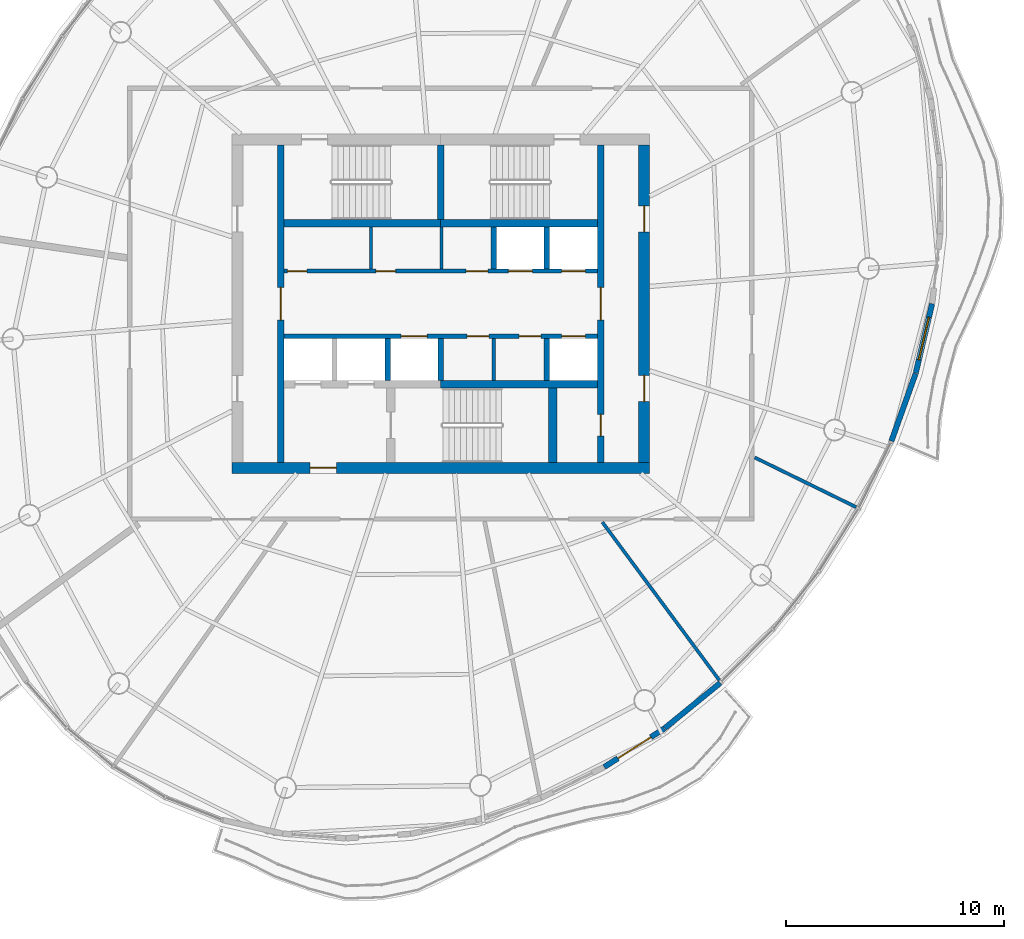
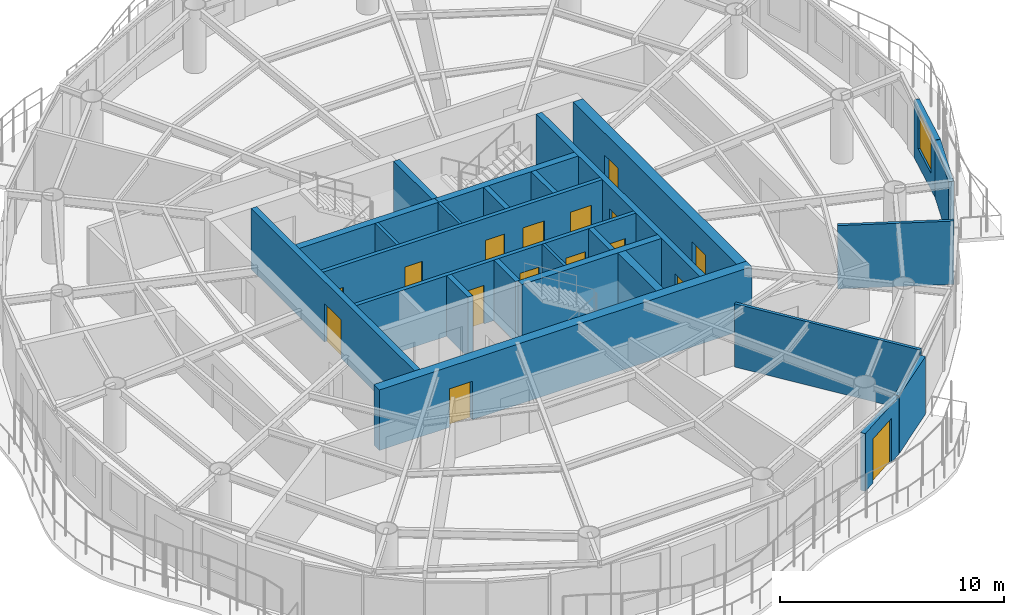
# One storey, part 9 of 14: 25 walls, 16 doors, 1 window, 17 openings.
"""IFC4 building model written with IfcOpenShell, lengths in metres."""

from ifc_helpers import new_model, si_unit, direction, frame, frame_2d, origin, place, context, subcontext, project, spatial, rectangle, extrude, material, layer, layer_set, type_object, element, fill, save


model = new_model("IFC4")

# Units and contexts
model_context = context("Model", 3, precision=1e-05, world=origin(), true_north=direction((0.0, 1.0)))
body_context = subcontext(model_context, "Body", "Model", "MODEL_VIEW")
ifc_project = project(units=[si_unit("LENGTHUNIT", "METRE"), si_unit("AREAUNIT", "SQUARE_METRE"), si_unit("VOLUMEUNIT", "CUBIC_METRE"), si_unit("PLANEANGLEUNIT", "RADIAN"), si_unit("MASSUNIT", "GRAM", prefix="KILO")], contexts=[model_context])

# Site, building, storey
site_placement = place(None, origin())
site = spatial("IfcSite", under=ifc_project, at=site_placement, CompositionType="ELEMENT")
building_placement = place(site_placement, origin())
building = spatial("IfcBuilding", under=site, at=building_placement, Name="Vermilion Reach Broadcast Tower", CompositionType="ELEMENT")
storey_placement = place(building_placement, frame((0.0, 0.0, 254.10009765625)))
storey = spatial("IfcBuildingStorey", under=building, at=storey_placement, Name="L62", CompositionType="ELEMENT", Elevation=254.10009765625)

# Wall, opening, door
ifc_material_1 = material(Name="Concrete C50", Category="concrete")
ifc_layer_1 = layer(ifc_material_1, 0.300048828125)
ifc_layer_set_1 = layer_set([ifc_layer_1], Name="Core inner wall 300 mm Concrete C50")
wall_type_1 = type_object("IfcWallType", Name="Core inner wall 300 mm Concrete C50", PredefinedType="SHEAR", material=ifc_layer_set_1)
wall_1_placement = place(storey_placement, frame((-13.35009765625, 7.300048828125, 0.0), z_axis=(0.0, 0.0, 1.0), x_axis=(0.0, -1.0, 0.0)))
wall_1 = element("IfcWall", 1, at=wall_1_placement, inside=storey, type_object=wall_type_1, Name="L62 core wall ewW", PredefinedType="SHEAR", context=body_context, shape_type="SweptSolid", body=[
    extrude(rectangle(XDim=14.60009765625, YDim=0.300048828125, at=frame_2d((7.300048828125, 0.0))), origin(), (0.0, 0.0, 1.0), 3.2998046875),
])
opening_1_placement = place(wall_1_placement, frame((6.550048828125, 0.0, 0.0)))
opening_1 = element("IfcOpeningElement", 2, at=opening_1_placement, cuts=wall_1, Name="Opening D04", PredefinedType="OPENING", context=body_context, shape_type="SweptSolid", body=[
    extrude(rectangle(XDim=1.5, YDim=2.10009765625, at=frame_2d((0.75, 1.050048828125))), frame((0.0, 0.159912109375, 0.0), z_axis=(0.0, -1.0, 0.0), x_axis=(1.0, 0.0, 0.0)), (0.0, 0.0, 1.0), 0.320068359375),
])
ifc_material_2 = material(Name="Painted steel fire door", Category="steel")
door_type_1 = type_object("IfcDoorType", Name="Lift lobby door 1500 x 2100", OperationType="DOUBLE_DOOR_SINGLE_SWING", PredefinedType="NOTDEFINED", material=ifc_material_2)
door_1_placement = place(opening_1_placement, origin())
door_1 = element("IfcDoor", 3, at=door_1_placement, inside=storey, type_object=door_type_1, Name="L62 band door BW", OperationType="DOUBLE_DOOR_SINGLE_SWING", OverallHeight=2.10009765625, OverallWidth=1.5, PredefinedType="NOTDEFINED", context=body_context, shape_type="SweptSolid", body=[
    extrude(rectangle(XDim=1.5, YDim=2.10009765625, at=frame_2d((0.75, 1.050048828125))), frame((0.0, 0.02490234375, 0.0), z_axis=(0.0, -1.0, 0.0), x_axis=(1.0, 0.0, 0.0)), (0.0, 0.0, 1.0), 0.050048828125),
])
fill(opening_1, door_1)

# Wall, openings, doors
wall_2_placement = place(storey_placement, frame((1.35009765625, -7.300048828125, 0.0), z_axis=(0.0, 0.0, 1.0), x_axis=(0.0, 1.0, 0.0)))
wall_2 = element("IfcWall", 4, at=wall_2_placement, inside=storey, type_object=wall_type_1, Name="L62 core wall ewE", PredefinedType="SHEAR", context=body_context, shape_type="SweptSolid", body=[
    extrude(rectangle(XDim=14.60009765625, YDim=0.300048828125, at=frame_2d((7.300048828125, 0.0))), origin(), (0.0, 0.0, 1.0), 3.2998046875),
])
opening_2_placement = place(wall_2_placement, frame((1.2099609375, 0.0, 0.0)))
opening_2 = element("IfcOpeningElement", 5, at=opening_2_placement, cuts=wall_2, Name="Opening D05", PredefinedType="OPENING", context=body_context, shape_type="SweptSolid", body=[
    extrude(rectangle(XDim=1.0, YDim=2.10009765625, at=frame_2d((0.5, 1.050048828125))), frame((0.0, 0.159912109375, 0.0), z_axis=(0.0, -1.0, 0.0), x_axis=(1.0, 0.0, 0.0)), (0.0, 0.0, 1.0), 0.320068359375),
])
opening_3_placement = place(wall_2_placement, frame((6.550048828125, 0.0, 0.0)))
opening_3 = element("IfcOpeningElement", 6, at=opening_3_placement, cuts=wall_2, Name="Opening D04", PredefinedType="OPENING", context=body_context, shape_type="SweptSolid", body=[
    extrude(rectangle(XDim=1.5, YDim=2.10009765625, at=frame_2d((0.75, 1.050048828125))), frame((0.0, 0.159912109375, 0.0), z_axis=(0.0, -1.0, 0.0), x_axis=(1.0, 0.0, 0.0)), (0.0, 0.0, 1.0), 0.320068359375),
])
door_2_placement = place(opening_3_placement, origin())
door_2 = element("IfcDoor", 7, at=door_2_placement, inside=storey, type_object=door_type_1, Name="L62 band door BE", OperationType="DOUBLE_DOOR_SINGLE_SWING", OverallHeight=2.10009765625, OverallWidth=1.5, PredefinedType="NOTDEFINED", context=body_context, shape_type="SweptSolid", body=[
    extrude(rectangle(XDim=1.5, YDim=2.10009765625, at=frame_2d((0.75, 1.050048828125))), frame((0.0, 0.02490234375, 0.0), z_axis=(0.0, -1.0, 0.0), x_axis=(1.0, 0.0, 0.0)), (0.0, 0.0, 1.0), 0.050048828125),
])
fill(opening_3, door_2)
ifc_material_3 = material(Name="Timber door", Category="wood")
door_type_2 = type_object("IfcDoorType", Name="Room door 1000 x 2100", OperationType="NOTDEFINED", PredefinedType="NOTDEFINED", material=ifc_material_3)
door_3_placement = place(opening_2_placement, origin())
door_3 = element("IfcDoor", 8, at=door_3_placement, inside=storey, type_object=door_type_2, Name="L62 door SER", OperationType="SINGLE_SWING_LEFT", OverallHeight=2.10009765625, OverallWidth=1.0, PredefinedType="NOTDEFINED", context=body_context, shape_type="SweptSolid", body=[
    extrude(rectangle(XDim=1.0, YDim=2.10009765625, at=frame_2d((0.5, 1.050048828125))), frame((0.0, 0.02490234375, 0.0), z_axis=(0.0, -1.0, 0.0), x_axis=(1.0, 0.0, 0.0)), (0.0, 0.0, 1.0), 0.050048828125),
])
fill(opening_2, door_3)

# Walls
wall_3_placement = place(storey_placement, frame((-6.0, 3.8798828125, 0.0), z_axis=(0.0, 0.0, 1.0), x_axis=(0.0, 1.0, 0.0)))
element("IfcWall", 9, at=wall_3_placement, inside=storey, type_object=wall_type_1, Name="L62 core wall wc", PredefinedType="SHEAR", context=body_context, shape_type="SweptSolid", body=[
    extrude(rectangle(XDim=3.420166015625, YDim=0.300048828125, at=frame_2d((1.7099609375, 0.0))), origin(), (0.0, 0.0, 1.0), 3.2998046875),
])
ifc_material_4 = material(Name="Concrete C50", Category="concrete")
ifc_layer_2 = layer(ifc_material_4, 0.35009765625)
ifc_layer_set_2 = layer_set([ifc_layer_2], Name="Core inner wall 350 mm Concrete C50")
wall_type_2 = type_object("IfcWallType", Name="Core inner wall 350 mm Concrete C50", PredefinedType="SHEAR", material=ifc_layer_set_2)
for number, where, z_axis, x_axis, name in (
    (10, (-13.199951171875, 3.705078125, 0.0), (0.0, 0.0, 1.0), (1.0, 0.0, 0.0), "L62 core wall winW"),
    (11, (-6.0, 3.705078125, 0.0), (0.0, 0.0, 1.0), (1.0, 0.0, 0.0), "L62 core wall winE"),
    (12, (-6.0, -3.705078125, 0.0), (0.0, 0.0, 1.0), (1.0, 0.0, 0.0), "L62 core wall wisE"),
):
    element("IfcWall", number, at=place(storey_placement, frame(where, z_axis=z_axis, x_axis=x_axis)), inside=storey, type_object=wall_type_2, Name=name, PredefinedType="SHEAR", context=body_context, shape_type="SweptSolid", body=[
        extrude(rectangle(XDim=7.199951171875, YDim=0.35009765625, at=frame_2d((3.60009765625, 0.0))), origin(), (0.0, 0.0, 1.0), 3.2998046875),
    ])
ifc_material_5 = material(Name="Concrete C50", Category="concrete")
ifc_layer_3 = layer(ifc_material_5, 0.39990234375)
ifc_layer_set_3 = layer_set([ifc_layer_3], Name="Core inner wall 400 mm Concrete C50")
wall_type_3 = type_object("IfcWallType", Name="Core inner wall 400 mm Concrete C50", PredefinedType="SHEAR", material=ifc_layer_set_3)
wall_4_placement = place(storey_placement, frame((-0.85009765625, -3.8798828125, 0.0), z_axis=(0.0, 0.0, 1.0), x_axis=(0.0, -1.0, 0.0)))
element("IfcWall", 13, at=wall_4_placement, inside=storey, type_object=wall_type_3, Name="L62 core wall wb", PredefinedType="SHEAR", context=body_context, shape_type="SweptSolid", body=[
    extrude(rectangle(XDim=3.420166015625, YDim=0.39990234375, at=frame_2d((1.7099609375, 0.0))), origin(), (0.0, 0.0, 1.0), 3.2998046875),
])

# Wall, opening, door
ifc_material_6 = material(Name="Concrete C50", Category="concrete")
ifc_layer_4 = layer(ifc_material_6, 0.5)
ifc_layer_set_4 = layer_set([ifc_layer_4], Name="Core outer wall 500 mm Concrete C50")
wall_type_4 = type_object("IfcWallType", Name="Core outer wall 500 mm Concrete C50", PredefinedType="SHEAR", material=ifc_layer_set_4)
wall_5_placement = place(storey_placement, frame((-15.60009765625, -7.550048828125, 0.0), z_axis=(0.0, 0.0, 1.0), x_axis=(1.0, 0.0, 0.0)))
wall_5 = element("IfcWall", 14, at=wall_5_placement, inside=storey, type_object=wall_type_4, Name="L62 core wall os", PredefinedType="SHEAR", context=body_context, shape_type="SweptSolid", body=[
    extrude(rectangle(XDim=19.2001953125, YDim=0.5, at=frame_2d((9.60009765625, 0.0))), origin(), (0.0, 0.0, 1.0), 3.2998046875),
])
opening_4_placement = place(wall_5_placement, frame((3.60009765625, 0.0, 0.0)))
opening_4 = element("IfcOpeningElement", 15, at=opening_4_placement, cuts=wall_5, Name="Opening D02", PredefinedType="OPENING", context=body_context, shape_type="SweptSolid", body=[
    extrude(rectangle(XDim=1.199951171875, YDim=2.10009765625, at=frame_2d((0.60009765625, 1.050048828125))), frame((0.0, 0.260009765625, 0.0), z_axis=(0.0, -1.0, 0.0), x_axis=(1.0, 0.0, 0.0)), (0.0, 0.0, 1.0), 0.52001953125),
])
ifc_material_7 = material(Name="Painted steel fire door", Category="steel")
door_type_3 = type_object("IfcDoorType", Name="Firefighting lobby door 1200 x 2100", OperationType="DOUBLE_DOOR_SINGLE_SWING", PredefinedType="NOTDEFINED", material=ifc_material_7)
door_4_placement = place(opening_4_placement, origin())
door_4 = element("IfcDoor", 16, at=door_4_placement, inside=storey, type_object=door_type_3, Name="L62 ffdoor door FFL", OperationType="DOUBLE_DOOR_SINGLE_SWING", OverallHeight=2.10009765625, OverallWidth=1.199951171875, PredefinedType="NOTDEFINED", context=body_context, shape_type="SweptSolid", body=[
    extrude(rectangle(XDim=1.199951171875, YDim=2.10009765625, at=frame_2d((0.60009765625, 1.050048828125))), frame((0.0, 0.02490234375, 0.0), z_axis=(0.0, -1.0, 0.0), x_axis=(1.0, 0.0, 0.0)), (0.0, 0.0, 1.0), 0.050048828125),
])
fill(opening_4, door_4)

# Wall, openings, doors
wall_6_placement = place(storey_placement, frame((3.35009765625, -7.300048828125, 0.0), z_axis=(0.0, 0.0, 1.0), x_axis=(0.0, 1.0, 0.0)))
wall_6 = element("IfcWall", 17, at=wall_6_placement, inside=storey, type_object=wall_type_4, Name="L62 core wall oe", PredefinedType="SHEAR", context=body_context, shape_type="SweptSolid", body=[
    extrude(rectangle(XDim=14.60009765625, YDim=0.5, at=frame_2d((7.300048828125, 0.0))), origin(), (0.0, 0.0, 1.0), 3.2998046875),
])
opening_5_placement = place(wall_6_placement, frame((2.800048828125, 0.0, 0.0)))
opening_5 = element("IfcOpeningElement", 18, at=opening_5_placement, cuts=wall_6, Name="Opening D03", PredefinedType="OPENING", context=body_context, shape_type="SweptSolid", body=[
    extrude(rectangle(XDim=1.199951171875, YDim=2.10009765625, at=frame_2d((0.60009765625, 1.050048828125))), frame((0.0, 0.260009765625, 0.0), z_axis=(0.0, -1.0, 0.0), x_axis=(1.0, 0.0, 0.0)), (0.0, 0.0, 1.0), 0.52001953125),
])
opening_6_placement = place(wall_6_placement, frame((10.60009765625, 0.0, 0.0)))
opening_6 = element("IfcOpeningElement", 19, at=opening_6_placement, cuts=wall_6, Name="Opening D03", PredefinedType="OPENING", context=body_context, shape_type="SweptSolid", body=[
    extrude(rectangle(XDim=1.199951171875, YDim=2.10009765625, at=frame_2d((0.60009765625, 1.050048828125))), frame((0.0, 0.260009765625, 0.0), z_axis=(0.0, -1.0, 0.0), x_axis=(1.0, 0.0, 0.0)), (0.0, 0.0, 1.0), 0.52001953125),
])
ifc_material_8 = material(Name="Painted steel fire door", Category="steel")
door_type_4 = type_object("IfcDoorType", Name="Core lobby door 1200 x 2100", OperationType="DOUBLE_DOOR_SINGLE_SWING", PredefinedType="NOTDEFINED", material=ifc_material_8)
door_5_placement = place(opening_5_placement, origin())
door_5 = element("IfcDoor", 20, at=door_5_placement, inside=storey, type_object=door_type_4, Name="L62 slot door E0", OperationType="DOUBLE_DOOR_SINGLE_SWING", OverallHeight=2.10009765625, OverallWidth=1.199951171875, PredefinedType="NOTDEFINED", context=body_context, shape_type="SweptSolid", body=[
    extrude(rectangle(XDim=1.199951171875, YDim=2.10009765625, at=frame_2d((0.60009765625, 1.050048828125))), frame((0.0, 0.02490234375, 0.0), z_axis=(0.0, -1.0, 0.0), x_axis=(1.0, 0.0, 0.0)), (0.0, 0.0, 1.0), 0.050048828125),
])
fill(opening_5, door_5)
door_6_placement = place(opening_6_placement, origin())
door_6 = element("IfcDoor", 21, at=door_6_placement, inside=storey, type_object=door_type_4, Name="L62 slot door E1", OperationType="DOUBLE_DOOR_SINGLE_SWING", OverallHeight=2.10009765625, OverallWidth=1.199951171875, PredefinedType="NOTDEFINED", context=body_context, shape_type="SweptSolid", body=[
    extrude(rectangle(XDim=1.199951171875, YDim=2.10009765625, at=frame_2d((0.60009765625, 1.050048828125))), frame((0.0, 0.02490234375, 0.0), z_axis=(0.0, -1.0, 0.0), x_axis=(1.0, 0.0, 0.0)), (0.0, 0.0, 1.0), 0.050048828125),
])
fill(opening_6, door_6)

# Walls
ifc_material_9 = material(Name="Masonry block", Category="masonry")
ifc_layer_5 = layer(ifc_material_9, 0.14990234375)
ifc_layer_set_5 = layer_set([ifc_layer_5], Name="Core partition wall 150 mm Masonry block")
wall_type_5 = type_object("IfcWallType", Name="Core partition wall 150 mm Masonry block", PredefinedType="PARTITIONING", material=ifc_layer_set_5)
for number, where, z_axis, x_axis, name in (
    (22, (-9.202880859375, 1.60009765625, 0.0), (0.0, 0.0, 1.0), (0.0, 1.0, 0.0), "L62 core wall prN-3203"),
    (23, (-5.96728515625, 1.60009765625, 0.0), (0.0, 0.0, 1.0), (0.0, 1.0, 0.0), "L62 core wall prN33"),
    (24, (-3.558349609375, -1.60009765625, 0.0), (0.0, 0.0, 1.0), (0.0, -1.0, 0.0), "L62 core wall prS2442"),
):
    element("IfcWall", number, at=place(storey_placement, frame(where, z_axis=z_axis, x_axis=x_axis)), inside=storey, type_object=wall_type_5, Name=name, PredefinedType="PARTITIONING", context=body_context, shape_type="SweptSolid", body=[
        extrude(rectangle(XDim=1.929931640625, YDim=0.14990234375, at=frame_2d((0.96484375, 0.0))), origin(), (0.0, 0.0, 1.0), 3.2998046875),
    ])

# Wall, openings, doors
ifc_material_10 = material(Name="Concrete C50", Category="concrete")
ifc_layer_6 = layer(ifc_material_10, 0.199951171875)
ifc_layer_set_6 = layer_set([ifc_layer_6], Name="Core shaft wall 200 mm Concrete C50")
wall_type_6 = type_object("IfcWallType", Name="Core shaft wall 200 mm Concrete C50", PredefinedType="SHEAR", material=ifc_layer_set_6)
wall_7_placement = place(storey_placement, frame((-13.199951171875, 1.5, 0.0), z_axis=(0.0, 0.0, 1.0), x_axis=(1.0, 0.0, 0.0)))
wall_7 = element("IfcWall", 25, at=wall_7_placement, inside=storey, type_object=wall_type_6, Name="L62 core wall fn", PredefinedType="SHEAR", context=body_context, shape_type="SweptSolid", body=[
    extrude(rectangle(XDim=14.39990234375, YDim=0.199951171875, at=frame_2d((7.199951171875, 0.0))), origin(), (0.0, 0.0, 1.0), 3.2998046875),
])
opening_7_placement = place(wall_7_placement, frame((10.3125, 0.0, 0.0)))
opening_7 = element("IfcOpeningElement", 26, at=opening_7_placement, cuts=wall_7, Name="Opening LD2", PredefinedType="OPENING", context=body_context, shape_type="SweptSolid", body=[
    extrude(rectangle(XDim=1.10009765625, YDim=2.10009765625, at=frame_2d((0.550048828125, 1.050048828125))), frame((0.0, 0.10986328125, 0.0), z_axis=(0.0, -1.0, 0.0), x_axis=(1.0, 0.0, 0.0)), (0.0, 0.0, 1.0), 0.219970703125),
])
opening_8_placement = place(wall_7_placement, frame((12.754150390625, 0.0, 0.0)))
opening_8 = element("IfcOpeningElement", 27, at=opening_8_placement, cuts=wall_7, Name="Opening LD2", PredefinedType="OPENING", context=body_context, shape_type="SweptSolid", body=[
    extrude(rectangle(XDim=1.10009765625, YDim=2.10009765625, at=frame_2d((0.550048828125, 1.050048828125))), frame((0.0, 0.10986328125, 0.0), z_axis=(0.0, -1.0, 0.0), x_axis=(1.0, 0.0, 0.0)), (0.0, 0.0, 1.0), 0.219970703125),
])
opening_9_placement = place(wall_7_placement, frame((0.14990234375, 0.0, 0.0)))
opening_9 = element("IfcOpeningElement", 28, at=opening_9_placement, cuts=wall_7, Name="Opening D06", PredefinedType="OPENING", context=body_context, shape_type="SweptSolid", body=[
    extrude(rectangle(XDim=0.89990234375, YDim=2.10009765625, at=frame_2d((0.449951171875, 1.050048828125))), frame((0.0, 0.10986328125, 0.0), z_axis=(0.0, -1.0, 0.0), x_axis=(1.0, 0.0, 0.0)), (0.0, 0.0, 1.0), 0.219970703125),
])
opening_10_placement = place(wall_7_placement, frame((4.221923828125, 0.0, 0.0)))
opening_10 = element("IfcOpeningElement", 29, at=opening_10_placement, cuts=wall_7, Name="Opening D06", PredefinedType="OPENING", context=body_context, shape_type="SweptSolid", body=[
    extrude(rectangle(XDim=0.89990234375, YDim=2.10009765625, at=frame_2d((0.449951171875, 1.050048828125))), frame((0.0, 0.10986328125, 0.0), z_axis=(0.0, -1.0, 0.0), x_axis=(1.0, 0.0, 0.0)), (0.0, 0.0, 1.0), 0.219970703125),
])
opening_11_placement = place(wall_7_placement, frame((8.36669921875, 0.0, 0.0)))
opening_11 = element("IfcOpeningElement", 30, at=opening_11_placement, cuts=wall_7, Name="Opening D11", PredefinedType="OPENING", context=body_context, shape_type="SweptSolid", body=[
    extrude(rectangle(XDim=1.0, YDim=2.10009765625, at=frame_2d((0.5, 1.050048828125))), frame((0.0, 0.10986328125, 0.0), z_axis=(0.0, -1.0, 0.0), x_axis=(1.0, 0.0, 0.0)), (0.0, 0.0, 1.0), 0.219970703125),
])
ifc_material_11 = material(Name="Stainless steel", Category="steel")
door_type_5 = type_object("IfcDoorType", Name="Landing door 1100 x 2100", OperationType="DOUBLE_DOOR_SLIDING", PredefinedType="NOTDEFINED", material=ifc_material_11)
door_7_placement = place(opening_7_placement, origin())
door_7 = element("IfcDoor", 31, at=door_7_placement, inside=storey, type_object=door_type_5, Name="L62 landing door HR1", OperationType="DOUBLE_DOOR_SLIDING", OverallHeight=2.10009765625, OverallWidth=1.10009765625, PredefinedType="NOTDEFINED", context=body_context, shape_type="SweptSolid", body=[
    extrude(rectangle(XDim=1.10009765625, YDim=2.10009765625, at=frame_2d((0.550048828125, 1.050048828125))), frame((0.0, 0.02490234375, 0.0), z_axis=(0.0, -1.0, 0.0), x_axis=(1.0, 0.0, 0.0)), (0.0, 0.0, 1.0), 0.050048828125),
])
fill(opening_7, door_7)
door_8_placement = place(opening_8_placement, origin())
door_8 = element("IfcDoor", 32, at=door_8_placement, inside=storey, type_object=door_type_5, Name="L62 landing door HR2", OperationType="DOUBLE_DOOR_SLIDING", OverallHeight=2.10009765625, OverallWidth=1.10009765625, PredefinedType="NOTDEFINED", context=body_context, shape_type="SweptSolid", body=[
    extrude(rectangle(XDim=1.10009765625, YDim=2.10009765625, at=frame_2d((0.550048828125, 1.050048828125))), frame((0.0, 0.02490234375, 0.0), z_axis=(0.0, -1.0, 0.0), x_axis=(1.0, 0.0, 0.0)), (0.0, 0.0, 1.0), 0.050048828125),
])
fill(opening_8, door_8)
ifc_material_12 = material(Name="Painted steel fire door", Category="steel")
door_type_6 = type_object("IfcDoorType", Name="Services room door 1000 x 2100", OperationType="NOTDEFINED", PredefinedType="NOTDEFINED", material=ifc_material_12)
door_9_placement = place(opening_11_placement, origin())
door_9 = element("IfcDoor", 33, at=door_9_placement, inside=storey, type_object=door_type_6, Name="L62 door Electrical room", OperationType="SINGLE_SWING_RIGHT", OverallHeight=2.10009765625, OverallWidth=1.0, PredefinedType="NOTDEFINED", context=body_context, shape_type="SweptSolid", body=[
    extrude(rectangle(XDim=1.0, YDim=2.10009765625, at=frame_2d((0.5, 1.050048828125))), frame((0.0, 0.02490234375, 0.0), z_axis=(0.0, -1.0, 0.0), x_axis=(1.0, 0.0, 0.0)), (0.0, 0.0, 1.0), 0.050048828125),
])
fill(opening_11, door_9)
ifc_material_13 = material(Name="Timber door", Category="wood")
door_type_7 = type_object("IfcDoorType", Name="WC door 900 x 2100", OperationType="NOTDEFINED", PredefinedType="NOTDEFINED", material=ifc_material_13)
door_10_placement = place(opening_9_placement, origin())
door_10 = element("IfcDoor", 34, at=door_10_placement, inside=storey, type_object=door_type_7, Name="L62 door Female WC", OperationType="SINGLE_SWING_LEFT", OverallHeight=2.10009765625, OverallWidth=0.89990234375, PredefinedType="NOTDEFINED", context=body_context, shape_type="SweptSolid", body=[
    extrude(rectangle(XDim=0.89990234375, YDim=2.10009765625, at=frame_2d((0.449951171875, 1.050048828125))), frame((0.0, 0.02490234375, 0.0), z_axis=(0.0, -1.0, 0.0), x_axis=(1.0, 0.0, 0.0)), (0.0, 0.0, 1.0), 0.050048828125),
])
fill(opening_9, door_10)
door_11_placement = place(opening_10_placement, origin())
door_11 = element("IfcDoor", 35, at=door_11_placement, inside=storey, type_object=door_type_7, Name="L62 door Male WC", OperationType="SINGLE_SWING_LEFT", OverallHeight=2.10009765625, OverallWidth=0.89990234375, PredefinedType="NOTDEFINED", context=body_context, shape_type="SweptSolid", body=[
    extrude(rectangle(XDim=0.89990234375, YDim=2.10009765625, at=frame_2d((0.449951171875, 1.050048828125))), frame((0.0, 0.02490234375, 0.0), z_axis=(0.0, -1.0, 0.0), x_axis=(1.0, 0.0, 0.0)), (0.0, 0.0, 1.0), 0.050048828125),
])
fill(opening_10, door_11)

wall_8_placement = place(storey_placement, frame((1.199951171875, -1.5, 0.0), z_axis=(0.0, 0.0, 1.0), x_axis=(-1.0, 0.0, 0.0)))
wall_8 = element("IfcWall", 36, at=wall_8_placement, inside=storey, type_object=wall_type_6, Name="L62 core wall fs", PredefinedType="SHEAR", context=body_context, shape_type="SweptSolid", body=[
    extrude(rectangle(XDim=14.39990234375, YDim=0.199951171875, at=frame_2d((7.199951171875, 0.0))), origin(), (0.0, 0.0, 1.0), 3.2998046875),
])
opening_12_placement = place(wall_8_placement, frame((7.82080078125, 0.0, 0.0)))
opening_12 = element("IfcOpeningElement", 37, at=opening_12_placement, cuts=wall_8, Name="Opening LD1", PredefinedType="OPENING", context=body_context, shape_type="SweptSolid", body=[
    extrude(rectangle(XDim=1.199951171875, YDim=2.10009765625, at=frame_2d((0.60009765625, 1.050048828125))), frame((0.0, 0.10986328125, 0.0), z_axis=(0.0, -1.0, 0.0), x_axis=(1.0, 0.0, 0.0)), (0.0, 0.0, 1.0), 0.219970703125),
])
opening_13_placement = place(wall_8_placement, frame((0.5458984375, 0.0, 0.0)))
opening_13 = element("IfcOpeningElement", 38, at=opening_13_placement, cuts=wall_8, Name="Opening LD2", PredefinedType="OPENING", context=body_context, shape_type="SweptSolid", body=[
    extrude(rectangle(XDim=1.10009765625, YDim=2.10009765625, at=frame_2d((0.550048828125, 1.050048828125))), frame((0.0, 0.10986328125, 0.0), z_axis=(0.0, -1.0, 0.0), x_axis=(1.0, 0.0, 0.0)), (0.0, 0.0, 1.0), 0.219970703125),
])
opening_14_placement = place(wall_8_placement, frame((4.9833984375, 0.0, 0.0)))
opening_14 = element("IfcOpeningElement", 39, at=opening_14_placement, cuts=wall_8, Name="Opening D07", PredefinedType="OPENING", context=body_context, shape_type="SweptSolid", body=[
    extrude(rectangle(XDim=1.0, YDim=2.10009765625, at=frame_2d((0.5, 1.050048828125))), frame((0.0, 0.10986328125, 0.0), z_axis=(0.0, -1.0, 0.0), x_axis=(1.0, 0.0, 0.0)), (0.0, 0.0, 1.0), 0.219970703125),
])
opening_15_placement = place(wall_8_placement, frame((2.591552734375, 0.0, 0.0)))
opening_15 = element("IfcOpeningElement", 40, at=opening_15_placement, cuts=wall_8, Name="Opening D10", PredefinedType="OPENING", context=body_context, shape_type="SweptSolid", body=[
    extrude(rectangle(XDim=1.0, YDim=2.10009765625, at=frame_2d((0.5, 1.050048828125))), frame((0.0, 0.10986328125, 0.0), z_axis=(0.0, -1.0, 0.0), x_axis=(1.0, 0.0, 0.0)), (0.0, 0.0, 1.0), 0.219970703125),
])
ifc_material_14 = material(Name="Timber door", Category="wood")
door_type_8 = type_object("IfcDoorType", Name="Accessible WC door 1000 x 2100", OperationType="NOTDEFINED", PredefinedType="NOTDEFINED", material=ifc_material_14)
door_12_placement = place(opening_14_placement, origin())
door_12 = element("IfcDoor", 41, at=door_12_placement, inside=storey, type_object=door_type_8, Name="L62 door Accessible WC", OperationType="SINGLE_SWING_LEFT", OverallHeight=2.10009765625, OverallWidth=1.0, PredefinedType="NOTDEFINED", context=body_context, shape_type="SweptSolid", body=[
    extrude(rectangle(XDim=1.0, YDim=2.10009765625, at=frame_2d((0.5, 1.050048828125))), frame((0.0, 0.02490234375, 0.0), z_axis=(0.0, -1.0, 0.0), x_axis=(1.0, 0.0, 0.0)), (0.0, 0.0, 1.0), 0.050048828125),
])
fill(opening_14, door_12)
door_13_placement = place(opening_13_placement, origin())
door_13 = element("IfcDoor", 42, at=door_13_placement, inside=storey, type_object=door_type_5, Name="L62 landing door HR3", OperationType="DOUBLE_DOOR_SLIDING", OverallHeight=2.10009765625, OverallWidth=1.10009765625, PredefinedType="NOTDEFINED", context=body_context, shape_type="SweptSolid", body=[
    extrude(rectangle(XDim=1.10009765625, YDim=2.10009765625, at=frame_2d((0.550048828125, 1.050048828125))), frame((0.0, 0.02490234375, 0.0), z_axis=(0.0, -1.0, 0.0), x_axis=(1.0, 0.0, 0.0)), (0.0, 0.0, 1.0), 0.050048828125),
])
fill(opening_13, door_13)
ifc_material_15 = material(Name="Stainless steel", Category="steel")
door_type_9 = type_object("IfcDoorType", Name="Landing door 1200 x 2100", OperationType="DOUBLE_DOOR_SLIDING", PredefinedType="NOTDEFINED", material=ifc_material_15)
door_14_placement = place(opening_12_placement, origin())
door_14 = element("IfcDoor", 43, at=door_14_placement, inside=storey, type_object=door_type_9, Name="L62 landing door SV1", OperationType="DOUBLE_DOOR_SLIDING", OverallHeight=2.10009765625, OverallWidth=1.199951171875, PredefinedType="NOTDEFINED", context=body_context, shape_type="SweptSolid", body=[
    extrude(rectangle(XDim=1.199951171875, YDim=2.10009765625, at=frame_2d((0.60009765625, 1.050048828125))), frame((0.0, 0.02490234375, 0.0), z_axis=(0.0, -1.0, 0.0), x_axis=(1.0, 0.0, 0.0)), (0.0, 0.0, 1.0), 0.050048828125),
])
fill(opening_12, door_14)
ifc_material_16 = material(Name="Timber door", Category="wood")
door_type_10 = type_object("IfcDoorType", Name="WC lobby door 1000 x 2100", OperationType="NOTDEFINED", PredefinedType="NOTDEFINED", material=ifc_material_16)
door_15_placement = place(opening_15_placement, origin())
door_15 = element("IfcDoor", 44, at=door_15_placement, inside=storey, type_object=door_type_10, Name="L62 door WC lobby", OperationType="SINGLE_SWING_LEFT", OverallHeight=2.10009765625, OverallWidth=1.0, PredefinedType="NOTDEFINED", context=body_context, shape_type="SweptSolid", body=[
    extrude(rectangle(XDim=1.0, YDim=2.10009765625, at=frame_2d((0.5, 1.050048828125))), frame((0.0, 0.02490234375, 0.0), z_axis=(0.0, -1.0, 0.0), x_axis=(1.0, 0.0, 0.0)), (0.0, 0.0, 1.0), 0.050048828125),
])
fill(opening_15, door_15)

# Walls
ifc_material_17 = material(Name="Concrete C50", Category="concrete")
ifc_layer_7 = layer(ifc_material_17, 0.25)
ifc_layer_set_7 = layer_set([ifc_layer_7], Name="Core shaft wall 250 mm Concrete C50")
wall_type_7 = type_object("IfcWallType", Name="Core shaft wall 250 mm Concrete C50", PredefinedType="SHEAR", material=ifc_layer_set_7)
for number, where, z_axis, x_axis, name in (
    (45, (-3.558349609375, 1.60009765625, 0.0), (0.0, 0.0, 1.0), (0.0, 1.0, 0.0), "L62 core wall psN3"),
    (46, (-1.11669921875, 1.60009765625, 0.0), (0.0, 0.0, 1.0), (0.0, 1.0, 0.0), "L62 core wall psN4"),
    (47, (-8.441650390625, -1.60009765625, 0.0), (0.0, 0.0, 1.0), (0.0, -1.0, 0.0), "L62 core wall psS1"),
    (48, (-6.0, -1.60009765625, 0.0), (0.0, 0.0, 1.0), (0.0, -1.0, 0.0), "L62 core wall psS2"),
    (49, (-1.11669921875, -1.60009765625, 0.0), (0.0, 0.0, 1.0), (0.0, -1.0, 0.0), "L62 core wall psS4"),
):
    element("IfcWall", number, at=place(storey_placement, frame(where, z_axis=z_axis, x_axis=x_axis)), inside=storey, type_object=wall_type_7, Name=name, PredefinedType="SHEAR", context=body_context, shape_type="SweptSolid", body=[
        extrude(rectangle(XDim=1.929931640625, YDim=0.25, at=frame_2d((0.96484375, 0.0))), origin(), (0.0, 0.0, 1.0), 3.2998046875),
    ])
ifc_material_18 = material(Name="Lightweight concrete block, plastered", Category="concrete")
ifc_layer_8 = layer(ifc_material_18, 0.14990234375)
ifc_layer_set_8 = layer_set([ifc_layer_8], Name="Partition 150 lightweight block")
wall_type_8 = type_object("IfcWallType", Name="Partition 150 lightweight block", PredefinedType="PARTITIONING", material=ifc_layer_set_8)
wall_9_placement = place(storey_placement, frame((6.80712890625, -17.307861328125, 0.0), z_axis=(0.0, 0.0, 1.0), x_axis=(-0.594825545765, 0.803854819047, 0.0)))
element("IfcWall", 50, at=wall_9_placement, inside=storey, type_object=wall_type_8, Name="Partition 62.07", PredefinedType="PARTITIONING", context=body_context, shape_type="SweptSolid", body=[
    extrude(rectangle(XDim=9.035400390625, YDim=0.14990234375, at=frame_2d((4.517578125, 0.0))), origin(), (0.0, 0.0, 1.0), 3.449951171875),
])
wall_10_placement = place(storey_placement, frame((13.1005859375, -9.3544921875, 0.0), z_axis=(0.0, 0.0, 1.0), x_axis=(-0.898079749188, 0.439832654652, 0.0)))
element("IfcWall", 51, at=wall_10_placement, inside=storey, type_object=wall_type_8, Name="Partition 62.08", PredefinedType="PARTITIONING", context=body_context, shape_type="SweptSolid", body=[
    extrude(rectangle(XDim=5.197265625, YDim=0.14990234375, at=frame_2d((2.5986328125, 0.0))), origin(), (0.0, 0.0, 1.0), 3.449951171875),
])

# Wall, opening, door
ifc_material_19 = material(Name="Terracotta rainscreen cladding", Category="masonry")
ifc_layer_9 = layer(ifc_material_19, 0.25)
ifc_layer_set_9 = layer_set([ifc_layer_9], Name="Terracotta rainscreen wall 250")
wall_type_9 = type_object("IfcWallType", Name="Terracotta rainscreen wall 250", PredefinedType="SOLIDWALL", material=ifc_layer_set_9)
wall_11_placement = place(storey_placement, frame((1.521728515625, -21.298583984375, 0.0), z_axis=(0.0, 0.0, 1.0), x_axis=(0.841357447224, 0.540479089328, 0.0)))
wall_11 = element("IfcWall", 52, at=wall_11_placement, inside=storey, type_object=wall_type_9, Name="External wall L62 32", PredefinedType="SOLIDWALL", context=body_context, shape_type="SweptSolid", body=[
    extrude(rectangle(XDim=3.279052734375, YDim=0.25, at=frame_2d((1.6396484375, 0.0))), origin(), (0.0, 0.0, 1.0), 3.14990234375),
])
opening_16_placement = place(wall_11_placement, frame((0.739990234375, 0.0, 0.0)))
opening_16 = element("IfcOpeningElement", 53, at=opening_16_placement, cuts=wall_11, Name="Opening D70", PredefinedType="OPENING", context=body_context, shape_type="SweptSolid", body=[
    extrude(rectangle(XDim=1.800048828125, YDim=2.39990234375, at=frame_2d((0.89990234375, 1.199951171875))), frame((0.0, 0.135009765625, 0.0), z_axis=(0.0, -1.0, 0.0), x_axis=(1.0, 0.0, 0.0)), (0.0, 0.0, 1.0), 0.27001953125),
])
ifc_material_20 = material(Name="Low-e laminated clear glass in aluminium frame", Category="aluminium")
door_type_11 = type_object("IfcDoorType", Name="Balcony sliding door 1800 x 2400", OperationType="DOUBLE_DOOR_SLIDING", PredefinedType="DOOR", material=ifc_material_20)
door_16_placement = place(opening_16_placement, origin())
door_16 = element("IfcDoor", 54, at=door_16_placement, inside=storey, type_object=door_type_11, Name="Balcony door L62 run 08", OperationType="DOUBLE_DOOR_SLIDING", OverallHeight=2.39990234375, OverallWidth=1.800048828125, PredefinedType="DOOR", context=body_context, shape_type="SweptSolid", body=[
    extrude(rectangle(XDim=1.800048828125, YDim=2.39990234375, at=frame_2d((0.89990234375, 1.199951171875))), frame((0.0, 0.02490234375, 0.0), z_axis=(0.0, -1.0, 0.0), x_axis=(1.0, 0.0, 0.0)), (0.0, 0.0, 1.0), 0.050048828125),
])
fill(opening_16, door_16)

# Walls
wall_12_placement = place(storey_placement, frame((4.29833984375, -19.513427734375, 0.0), z_axis=(0.0, 0.0, 1.0), x_axis=(0.775212105866, 0.631701029696, 0.0)))
element("IfcWall", 55, at=wall_12_placement, inside=storey, type_object=wall_type_9, Name="External wall L62 33", PredefinedType="SOLIDWALL", context=body_context, shape_type="SweptSolid", body=[
    extrude(rectangle(XDim=3.2900390625, YDim=0.25, at=frame_2d((1.64501953125, 0.0))), origin(), (0.0, 0.0, 1.0), 3.14990234375),
])
wall_13_placement = place(storey_placement, frame((14.717529296875, -6.3134765625, 0.0), z_axis=(0.0, 0.0, 1.0), x_axis=(0.337652360294, 0.941270887464, 0.0)))
element("IfcWall", 56, at=wall_13_placement, inside=storey, type_object=wall_type_9, Name="External wall L62 38", PredefinedType="SOLIDWALL", context=body_context, shape_type="SweptSolid", body=[
    extrude(rectangle(XDim=3.289794921875, YDim=0.25, at=frame_2d((1.64501953125, 0.0))), origin(), (0.0, 0.0, 1.0), 3.14990234375),
])

# Wall, opening, window
wall_14_placement = place(storey_placement, frame((15.834716796875, -3.195556640625, 0.0), z_axis=(0.0, 0.0, 1.0), x_axis=(0.229620288748, 0.973280290048, 0.0)))
wall_14 = element("IfcWall", 57, at=wall_14_placement, inside=storey, type_object=wall_type_9, Name="External wall L62 39", PredefinedType="SOLIDWALL", context=body_context, shape_type="SweptSolid", body=[
    extrude(rectangle(XDim=3.279052734375, YDim=0.25, at=frame_2d((1.6396484375, 0.0))), origin(), (0.0, 0.0, 1.0), 3.14990234375),
])
opening_17_placement = place(wall_14_placement, frame((0.639404296875, 0.0, 0.89990234375)))
opening_17 = element("IfcOpeningElement", 58, at=opening_17_placement, cuts=wall_14, Name="Opening W03", PredefinedType="OPENING", context=body_context, shape_type="SweptSolid", body=[
    extrude(rectangle(XDim=2.0, YDim=2.10009765625, at=frame_2d((1.0, 1.050048828125))), frame((0.0, 0.135009765625, 0.0), z_axis=(0.0, -1.0, 0.0), x_axis=(1.0, 0.0, 0.0)), (0.0, 0.0, 1.0), 0.27001953125),
])
ifc_material_21 = material(Name="Low-e laminated clear glass in aluminium frame", Category="aluminium")
window_type = type_object("IfcWindowType", Name="Punched window 2000 x 2100 sill 900", PartitioningType="SINGLE_PANEL", PredefinedType="WINDOW", material=ifc_material_21)
window_placement = place(opening_17_placement, origin())
window = element("IfcWindow", 59, at=window_placement, inside=storey, type_object=window_type, Name="Window L62 39", OverallHeight=2.10009765625, OverallWidth=2.0, PartitioningType="SINGLE_PANEL", PredefinedType="WINDOW", context=body_context, shape_type="SweptSolid", body=[
    extrude(rectangle(XDim=2.0, YDim=2.10009765625, at=frame_2d((1.0, 1.050048828125))), frame((0.0, 0.030029296875, 0.0), z_axis=(0.0, -1.0, 0.0), x_axis=(1.0, 0.0, 0.0)), (0.0, 0.0, 1.0), 0.06005859375),
])
fill(opening_17, window)

save(model, "model.ifc")
